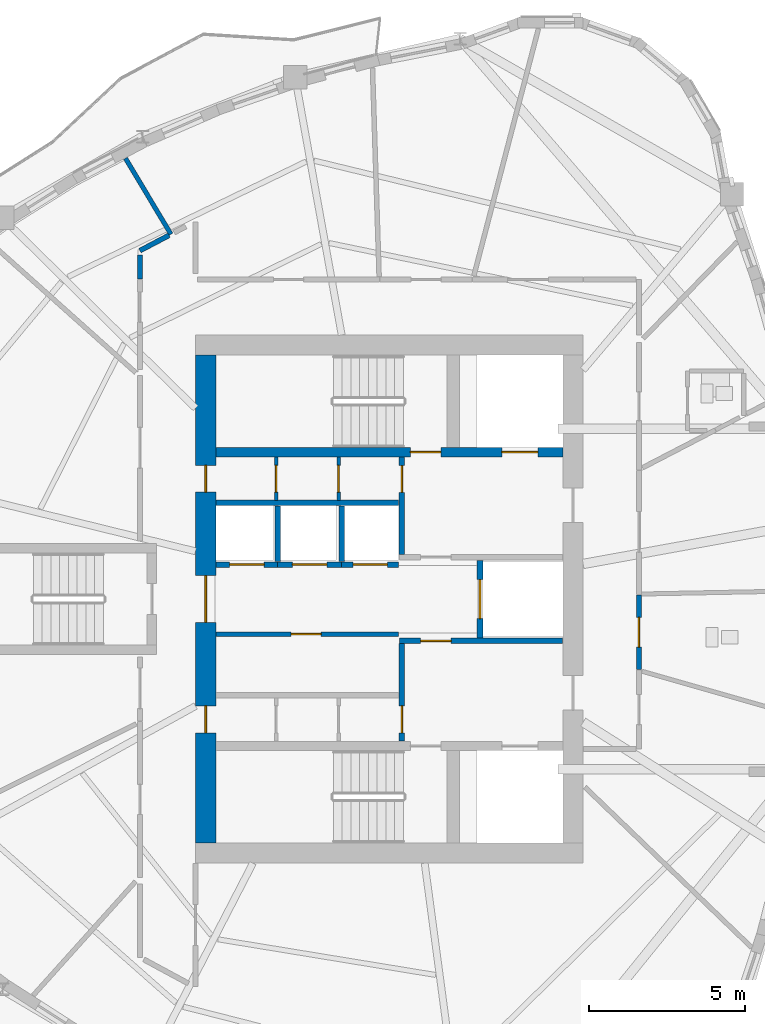
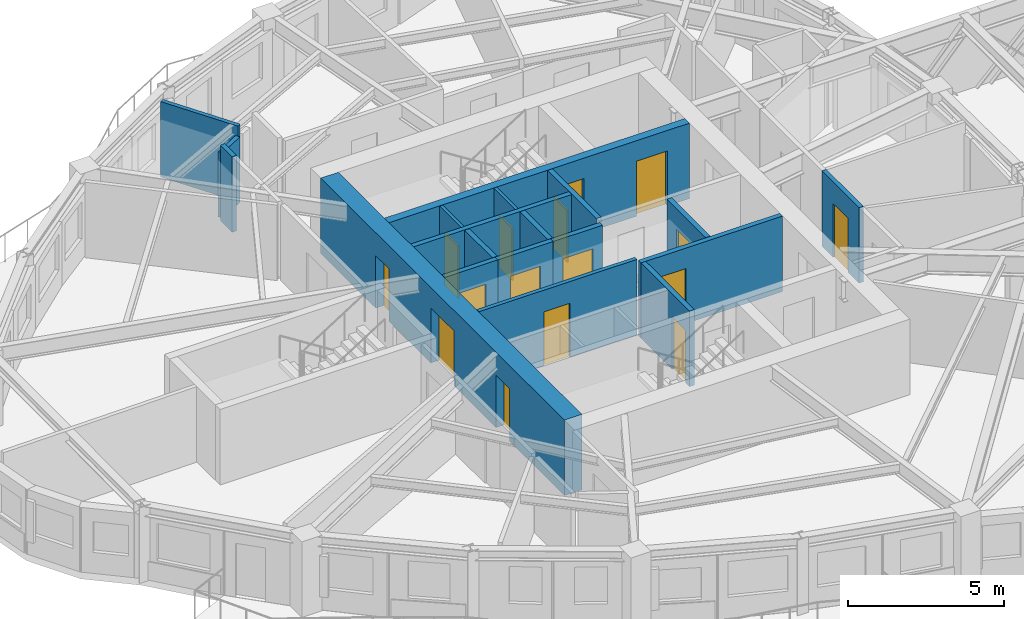
# One storey, part 6 of 13: 19 walls, 16 doors, 16 openings.
"""IFC4 building model written with IfcOpenShell, lengths in metres."""

from ifc_helpers import new_model, si_unit, direction, frame, frame_2d, origin, place, context, subcontext, project, spatial, rectangle, extrude, source, transform, mapped, material, layer, layer_set, type_object, element, fill, save


model = new_model("IFC4")

# Units and contexts
model_context = context("Model", 3, precision=1e-05, world=origin(), true_north=direction((0.0, 1.0)))
body_context = subcontext(model_context, "Body", "Model", "MODEL_VIEW")
ifc_project = project(units=[si_unit("LENGTHUNIT", "METRE"), si_unit("AREAUNIT", "SQUARE_METRE"), si_unit("VOLUMEUNIT", "CUBIC_METRE"), si_unit("PLANEANGLEUNIT", "RADIAN"), si_unit("MASSUNIT", "GRAM", prefix="KILO")], contexts=[model_context])

# Site, building, storey
site_placement = place(None, origin())
site = spatial("IfcSite", under=ifc_project, at=site_placement, CompositionType="ELEMENT")
building_placement = place(site_placement, origin())
building = spatial("IfcBuilding", under=site, at=building_placement, Name="Qafzar Sky-Pleat Residences", CompositionType="ELEMENT")
storey_placement = place(building_placement, frame((0.0, 0.0, 158.60009765625)))
storey = spatial("IfcBuildingStorey", under=building, at=storey_placement, Name="L47", CompositionType="ELEMENT", Elevation=158.60009765625)

# Wall, opening, door
ifc_material_1 = material(Name="Acoustic gypsum plasterboard partition", Category="gypsum")
ifc_layer_1 = layer(ifc_material_1, 0.159912109375)
ifc_layer_set_1 = layer_set([ifc_layer_1], Name="Acoustic gypsum plasterboard partition")
wall_type_1 = type_object("IfcWallType", Name="PART-COR-160", PredefinedType="PARTITIONING", material=ifc_layer_set_1)
wall_1_placement = place(storey_placement, frame((38.330078125, 26.12890625, 0.0), z_axis=(0.0, 0.0, 1.0), x_axis=(0.0, -1.0, 0.0)))
wall_1 = element("IfcWall", 1, at=wall_1_placement, inside=storey, type_object=wall_type_1, Name="L47 Partition Wall PART-L47-PW-012", PredefinedType="PARTITIONING", context=body_context, shape_type="SweptSolid", body=[
    extrude(rectangle(XDim=2.37890625, YDim=0.159912109375, at=frame_2d((1.189453125, 0.0))), origin(), (0.0, 0.0, 1.0), 2.949951171875),
])
opening_1_placement = place(wall_1_placement, frame((0.715087890625, 0.0, 0.0)))
opening_1 = element("IfcOpeningElement", 2, at=opening_1_placement, cuts=wall_1, Name="Opening ID-08", PredefinedType="OPENING", context=body_context, shape_type="SweptSolid", body=[
    extrude(rectangle(XDim=0.949951171875, YDim=2.10009765625, at=frame_2d((0.47509765625, 1.050048828125))), frame((0.0, 0.08984375, 0.0), z_axis=(0.0, -1.0, 0.0), x_axis=(1.0, 0.0, 0.0)), (0.0, 0.0, 1.0), 0.179931640625),
])
ifc_material_2 = material(Name="Timber-faced fire door", Category="wood")
door_type_1 = type_object("IfcDoorType", Name="DR-AWC-950", OperationType="NOTDEFINED", PredefinedType="DOOR", material=ifc_material_2)
shared_shape_1 = source(origin(), body_context, "Body", "SweptSolid", [
    extrude(rectangle(XDim=0.949951171875, YDim=2.10009765625, at=frame_2d((0.47509765625, 1.050048828125))), frame((0.0, 0.02490234375, 0.0), z_axis=(0.0, -1.0, 0.0), x_axis=(1.0, 0.0, 0.0)), (0.0, 0.0, 1.0), 0.050048828125),
])
door_1_placement = place(opening_1_placement, origin())
door_1 = element("IfcDoor", 3, at=door_1_placement, inside=storey, type_object=door_type_1, Name="L47 Accessible Shared Washroom Door", OperationType="SINGLE_SWING_LEFT", OverallHeight=2.10009765625, OverallWidth=0.949951171875, PredefinedType="DOOR", context=body_context, shape_type="MappedRepresentation", body=[
    mapped(shared_shape_1, transform((0.0, 0.0, 0.0), x_axis=(1.0, 0.0, 0.0), y_axis=(0.0, 1.0, 0.0), z_axis=(0.0, 0.0, 1.0), scale=1.0)),
])
fill(opening_1, door_1)

# Walls
wall_2_placement = place(storey_placement, frame((22.3701171875, 37.14599609375, 0.0), z_axis=(0.0, 0.0, 1.0), x_axis=(0.884530854714, 0.46648168995, 0.0)))
element("IfcWall", 4, at=wall_2_placement, inside=storey, type_object=wall_type_1, Name="L47 Partition Wall PART-L47-PW-041", PredefinedType="PARTITIONING", context=body_context, shape_type="SweptSolid", body=[
    extrude(rectangle(XDim=1.053466796875, YDim=0.159912109375, at=frame_2d((0.52685546875, 0.0))), origin(), (0.0, 0.0, 1.0), 2.557861328125),
])
wall_3_placement = place(storey_placement, frame((22.3701171875, 36.2451171875, 0.0), z_axis=(0.0, 0.0, 1.0), x_axis=(0.0, 1.0, 0.0)))
element("IfcWall", 5, at=wall_3_placement, inside=storey, type_object=wall_type_1, Name="L47 Partition Wall PART-L47-PW-044", PredefinedType="PARTITIONING", context=body_context, shape_type="SweptSolid", body=[
    extrude(rectangle(XDim=0.76025390625, YDim=0.159912109375, at=frame_2d((0.380126953125, 0.0))), origin(), (0.0, 0.0, 1.0), 2.949951171875),
])

# Wall, opening, door
ifc_material_3 = material(Name="Concrete blockwork partition", Category="masonry")
ifc_layer_2 = layer(ifc_material_3, 0.179931640625)
ifc_layer_set_2 = layer_set([ifc_layer_2], Name="Concrete blockwork partition")
wall_type_2 = type_object("IfcWallType", Name="PART-SHAFT-180", PredefinedType="PARTITIONING", material=ifc_layer_set_2)
wall_4_placement = place(storey_placement, frame((30.75, 21.4599609375, 0.0), z_axis=(0.0, 0.0, 1.0), x_axis=(0.0, 1.0, 0.0)))
wall_4 = element("IfcWall", 6, at=wall_4_placement, inside=storey, type_object=wall_type_2, Name="L47 Partition Wall PART-L47-FFL1-W", PredefinedType="PARTITIONING", context=body_context, shape_type="SweptSolid", body=[
    extrude(rectangle(XDim=3.110107421875, YDim=0.179931640625, at=frame_2d((1.55517578125, 0.0))), origin(), (0.0, 0.0, 1.0), 2.949951171875),
])
opening_2_placement = place(wall_4_placement, frame((0.260009765625, 0.0, 0.0)))
opening_2 = element("IfcOpeningElement", 7, at=opening_2_placement, cuts=wall_4, Name="Opening ID-09", PredefinedType="OPENING", context=body_context, shape_type="SweptSolid", body=[
    extrude(rectangle(XDim=0.860107421875, YDim=2.050048828125, at=frame_2d((0.43017578125, 1.02490234375))), frame((0.0, 0.10009765625, 0.0), z_axis=(0.0, -1.0, 0.0), x_axis=(1.0, 0.0, 0.0)), (0.0, 0.0, 1.0), 0.199951171875),
])
door_type_2 = type_object("IfcDoorType", Name="DR-SVC-860", OperationType="NOTDEFINED", PredefinedType="DOOR", material=ifc_material_2)
shared_shape_2 = source(origin(), body_context, "Body", "SweptSolid", [
    extrude(rectangle(XDim=0.860107421875, YDim=2.050048828125, at=frame_2d((0.43017578125, 1.02490234375))), frame((0.0, 0.02490234375, 0.0), z_axis=(0.0, -1.0, 0.0), x_axis=(1.0, 0.0, 0.0)), (0.0, 0.0, 1.0), 0.050048828125),
])
door_2_placement = place(opening_2_placement, origin())
door_2 = element("IfcDoor", 8, at=door_2_placement, inside=storey, type_object=door_type_2, Name="L47 South Core Cupboard Door", OperationType="SINGLE_SWING_RIGHT", OverallHeight=2.050048828125, OverallWidth=0.860107421875, PredefinedType="DOOR", context=body_context, shape_type="MappedRepresentation", body=[
    mapped(shared_shape_2, transform((0.0, 0.0, 0.0), x_axis=(1.0, 0.0, 0.0), y_axis=(0.0, 1.0, 0.0), z_axis=(0.0, 0.0, 1.0), scale=1.0)),
])
fill(opening_2, door_2)

wall_5_placement = place(storey_placement, frame((30.669921875, 24.659912109375, 0.0), z_axis=(0.0, 0.0, 1.0), x_axis=(1.0, 0.0, 0.0)))
wall_5 = element("IfcWall", 9, at=wall_5_placement, inside=storey, type_object=wall_type_2, Name="L47 Partition Wall PART-L47-FFL1-N", PredefinedType="PARTITIONING", context=body_context, shape_type="SweptSolid", body=[
    extrude(rectangle(XDim=5.219970703125, YDim=0.179931640625, at=frame_2d((2.60986328125, 0.0))), origin(), (0.0, 0.0, 1.0), 2.949951171875),
])
opening_3_placement = place(wall_5_placement, frame((0.679931640625, 0.0, 0.0)))
opening_3 = element("IfcOpeningElement", 10, at=opening_3_placement, cuts=wall_5, Name="Opening ID-01", PredefinedType="OPENING", context=body_context, shape_type="SweptSolid", body=[
    extrude(rectangle(XDim=0.97998046875, YDim=2.14990234375, at=frame_2d((0.489990234375, 1.074951171875))), frame((0.0, 0.10009765625, 0.0), z_axis=(0.0, -1.0, 0.0), x_axis=(1.0, 0.0, 0.0)), (0.0, 0.0, 1.0), 0.199951171875),
])
door_type_3 = type_object("IfcDoorType", Name="DR-STAIR-980", OperationType="NOTDEFINED", PredefinedType="DOOR", material=ifc_material_2)
shared_shape_3 = source(origin(), body_context, "Body", "SweptSolid", [
    extrude(rectangle(XDim=0.97998046875, YDim=2.14990234375, at=frame_2d((0.489990234375, 1.074951171875))), frame((0.0, 0.02490234375, 0.0), z_axis=(0.0, -1.0, 0.0), x_axis=(1.0, 0.0, 0.0)), (0.0, 0.0, 1.0), 0.050048828125),
])
door_3_placement = place(opening_3_placement, origin())
door_3 = element("IfcDoor", 11, at=door_3_placement, inside=storey, type_object=door_type_3, Name="L47 Lift Lobby to South Firefighting Lobby Door", OperationType="SINGLE_SWING_LEFT", OverallHeight=2.14990234375, OverallWidth=0.97998046875, PredefinedType="DOOR", context=body_context, shape_type="MappedRepresentation", body=[
    mapped(shared_shape_3, transform((0.0, 0.0, 0.0), x_axis=(1.0, 0.0, 0.0), y_axis=(0.0, 1.0, 0.0), z_axis=(0.0, 0.0, 1.0), scale=1.0)),
])
fill(opening_3, door_3)

wall_6_placement = place(storey_placement, frame((30.75, 27.429931640625, 0.0), z_axis=(0.0, 0.0, 1.0), x_axis=(0.0, 1.0, 0.0)))
wall_6 = element("IfcWall", 12, at=wall_6_placement, inside=storey, type_object=wall_type_2, Name="L47 Partition Wall PART-L47-FFL2-W", PredefinedType="PARTITIONING", context=body_context, shape_type="SweptSolid", body=[
    extrude(rectangle(XDim=3.110107421875, YDim=0.179931640625, at=frame_2d((1.55517578125, 0.0))), origin(), (0.0, 0.0, 1.0), 2.949951171875),
])
opening_4_placement = place(wall_6_placement, frame((1.97998046875, 0.0, 0.0)))
opening_4 = element("IfcOpeningElement", 13, at=opening_4_placement, cuts=wall_6, Name="Opening ID-09", PredefinedType="OPENING", context=body_context, shape_type="SweptSolid", body=[
    extrude(rectangle(XDim=0.860107421875, YDim=2.050048828125, at=frame_2d((0.43017578125, 1.02490234375))), frame((0.0, 0.10009765625, 0.0), z_axis=(0.0, -1.0, 0.0), x_axis=(1.0, 0.0, 0.0)), (0.0, 0.0, 1.0), 0.199951171875),
])
door_4_placement = place(opening_4_placement, origin())
door_4 = element("IfcDoor", 14, at=door_4_placement, inside=storey, type_object=door_type_2, Name="L47 North Core Cupboard Door", OperationType="SINGLE_SWING_RIGHT", OverallHeight=2.050048828125, OverallWidth=0.860107421875, PredefinedType="DOOR", context=body_context, shape_type="MappedRepresentation", body=[
    mapped(shared_shape_2, transform((0.0, 0.0, 0.0), x_axis=(1.0, 0.0, 0.0), y_axis=(0.0, 1.0, 0.0), z_axis=(0.0, 0.0, 1.0), scale=1.0)),
])
fill(opening_4, door_4)

wall_7_placement = place(storey_placement, frame((33.25, 24.760009765625, 0.0), z_axis=(0.0, 0.0, 1.0), x_axis=(0.0, 1.0, 0.0)))
wall_7 = element("IfcWall", 15, at=wall_7_placement, inside=storey, type_object=wall_type_2, Name="L47 Partition Wall PART-L47-SV1-W", PredefinedType="PARTITIONING", context=body_context, shape_type="SweptSolid", body=[
    extrude(rectangle(XDim=2.47998046875, YDim=0.179931640625, at=frame_2d((1.239990234375, 0.0))), origin(), (0.0, 0.0, 1.0), 2.949951171875),
])
opening_5_placement = place(wall_7_placement, frame((0.614990234375, 0.0, 0.0)))
opening_5 = element("IfcOpeningElement", 16, at=opening_5_placement, cuts=wall_7, Name="Opening LD-03", PredefinedType="OPENING", context=body_context, shape_type="SweptSolid", body=[
    extrude(rectangle(XDim=1.25, YDim=2.14990234375, at=frame_2d((0.625, 1.074951171875))), frame((0.0, 0.10009765625, 0.0), z_axis=(0.0, -1.0, 0.0), x_axis=(1.0, 0.0, 0.0)), (0.0, 0.0, 1.0), 0.199951171875),
])
ifc_material_4 = material(Name="Stainless steel sliding landing door", Category="steel")
door_type_4 = type_object("IfcDoorType", Name="DR-LIFT-SV", OperationType="DOUBLE_DOOR_SLIDING", PredefinedType="DOOR", material=ifc_material_4)
shared_shape_4 = source(origin(), body_context, "Body", "SweptSolid", [
    extrude(rectangle(XDim=1.25, YDim=2.14990234375, at=frame_2d((0.625, 1.074951171875))), frame((0.0, 0.02490234375, 0.0), z_axis=(0.0, -1.0, 0.0), x_axis=(1.0, 0.0, 0.0)), (0.0, 0.0, 1.0), 0.050048828125),
])
door_5_placement = place(opening_5_placement, origin())
door_5 = element("IfcDoor", 17, at=door_5_placement, inside=storey, type_object=door_type_4, Name="L47 Service Lift SV1 Landing Door", OperationType="DOUBLE_DOOR_SLIDING", OverallHeight=2.14990234375, OverallWidth=1.25, PredefinedType="DOOR", context=body_context, shape_type="MappedRepresentation", body=[
    mapped(shared_shape_4, transform((0.0, 0.0, 0.0), x_axis=(1.0, 0.0, 0.0), y_axis=(0.0, 1.0, 0.0), z_axis=(0.0, 0.0, 1.0), scale=1.0)),
])
fill(opening_5, door_5)

# Wall
wall_8_placement = place(storey_placement, frame((24.81005859375, 29.080078125, 0.0), z_axis=(0.0, 0.0, 1.0), x_axis=(1.0, 0.0, 0.0)))
element("IfcWall", 18, at=wall_8_placement, inside=storey, type_object=wall_type_2, Name="L47 Partition Wall PART-L47-P46-N", PredefinedType="PARTITIONING", context=body_context, shape_type="SweptSolid", body=[
    extrude(rectangle(XDim=5.83984375, YDim=0.179931640625, at=frame_2d((2.919921875, 0.0))), origin(), (0.0, 0.0, 1.0), 2.949951171875),
])

# Wall, opening, door
wall_9_placement = place(storey_placement, frame((24.81005859375, 27.10009765625, 0.0), z_axis=(0.0, 0.0, 1.0), x_axis=(1.0, 0.0, 0.0)))
wall_9 = element("IfcWall", 19, at=wall_9_placement, inside=storey, type_object=wall_type_2, Name="L47 Partition Wall PART-L47-P4-S", PredefinedType="PARTITIONING", context=body_context, shape_type="SweptSolid", body=[
    extrude(rectangle(XDim=1.96484375, YDim=0.179931640625, at=frame_2d((0.982421875, 0.0))), origin(), (0.0, 0.0, 1.0), 2.949951171875),
])
opening_6_placement = place(wall_9_placement, frame((0.4326171875, 0.0, 0.0)))
opening_6 = element("IfcOpeningElement", 20, at=opening_6_placement, cuts=wall_9, Name="Opening LD-01", PredefinedType="OPENING", context=body_context, shape_type="SweptSolid", body=[
    extrude(rectangle(XDim=1.10009765625, YDim=2.14990234375, at=frame_2d((0.550048828125, 1.074951171875))), frame((0.0, 0.10009765625, 0.0), z_axis=(0.0, -1.0, 0.0), x_axis=(1.0, 0.0, 0.0)), (0.0, 0.0, 1.0), 0.199951171875),
])
door_type_5 = type_object("IfcDoorType", Name="DR-LIFT-P", OperationType="DOUBLE_DOOR_SLIDING", PredefinedType="DOOR", material=ifc_material_4)
shared_shape_5 = source(origin(), body_context, "Body", "SweptSolid", [
    extrude(rectangle(XDim=1.10009765625, YDim=2.14990234375, at=frame_2d((0.550048828125, 1.074951171875))), frame((0.0, 0.02490234375, 0.0), z_axis=(0.0, -1.0, 0.0), x_axis=(1.0, 0.0, 0.0)), (0.0, 0.0, 1.0), 0.050048828125),
])
door_6_placement = place(opening_6_placement, origin())
door_6 = element("IfcDoor", 21, at=door_6_placement, inside=storey, type_object=door_type_5, Name="L47 Passenger Lift P4 Landing Door", OperationType="DOUBLE_DOOR_SLIDING", OverallHeight=2.14990234375, OverallWidth=1.10009765625, PredefinedType="DOOR", context=body_context, shape_type="MappedRepresentation", body=[
    mapped(shared_shape_5, transform((0.0, 0.0, 0.0), x_axis=(1.0, 0.0, 0.0), y_axis=(0.0, 1.0, 0.0), z_axis=(0.0, 0.0, 1.0), scale=1.0)),
])
fill(opening_6, door_6)

wall_10_placement = place(storey_placement, frame((26.77490234375, 27.10009765625, 0.0), z_axis=(0.0, 0.0, 1.0), x_axis=(1.0, 0.0, 0.0)))
wall_10 = element("IfcWall", 22, at=wall_10_placement, inside=storey, type_object=wall_type_2, Name="L47 Partition Wall PART-L47-P5-S", PredefinedType="PARTITIONING", context=body_context, shape_type="SweptSolid", body=[
    extrude(rectangle(XDim=2.050048828125, YDim=0.179931640625, at=frame_2d((1.02490234375, 0.0))), origin(), (0.0, 0.0, 1.0), 2.949951171875),
])
opening_7_placement = place(wall_10_placement, frame((0.47509765625, 0.0, 0.0)))
opening_7 = element("IfcOpeningElement", 23, at=opening_7_placement, cuts=wall_10, Name="Opening LD-01", PredefinedType="OPENING", context=body_context, shape_type="SweptSolid", body=[
    extrude(rectangle(XDim=1.10009765625, YDim=2.14990234375, at=frame_2d((0.550048828125, 1.074951171875))), frame((0.0, 0.10009765625, 0.0), z_axis=(0.0, -1.0, 0.0), x_axis=(1.0, 0.0, 0.0)), (0.0, 0.0, 1.0), 0.199951171875),
])
door_7_placement = place(opening_7_placement, origin())
door_7 = element("IfcDoor", 24, at=door_7_placement, inside=storey, type_object=door_type_5, Name="L47 Passenger Lift P5 Landing Door", OperationType="DOUBLE_DOOR_SLIDING", OverallHeight=2.14990234375, OverallWidth=1.10009765625, PredefinedType="DOOR", context=body_context, shape_type="MappedRepresentation", body=[
    mapped(shared_shape_5, transform((0.0, 0.0, 0.0), x_axis=(1.0, 0.0, 0.0), y_axis=(0.0, 1.0, 0.0), z_axis=(0.0, 0.0, 1.0), scale=1.0)),
])
fill(opening_7, door_7)

# Wall
wall_11_placement = place(storey_placement, frame((26.77490234375, 27.199951171875, 0.0), z_axis=(0.0, 0.0, 1.0), x_axis=(0.0, 1.0, 0.0)))
element("IfcWall", 25, at=wall_11_placement, inside=storey, type_object=wall_type_2, Name="L47 Partition Wall PART-L47-P46-DIV-1", PredefinedType="PARTITIONING", context=body_context, shape_type="SweptSolid", body=[
    extrude(rectangle(XDim=1.780029296875, YDim=0.179931640625, at=frame_2d((0.89013671875, 0.0))), origin(), (0.0, 0.0, 1.0), 2.949951171875),
])

# Wall, opening, door
wall_12_placement = place(storey_placement, frame((28.824951171875, 27.10009765625, 0.0), z_axis=(0.0, 0.0, 1.0), x_axis=(1.0, 0.0, 0.0)))
wall_12 = element("IfcWall", 26, at=wall_12_placement, inside=storey, type_object=wall_type_2, Name="L47 Partition Wall PART-L47-P6-S", PredefinedType="PARTITIONING", context=body_context, shape_type="SweptSolid", body=[
    extrude(rectangle(XDim=1.824951171875, YDim=0.179931640625, at=frame_2d((0.91259765625, 0.0))), origin(), (0.0, 0.0, 1.0), 2.949951171875),
])
opening_8_placement = place(wall_12_placement, frame((0.362548828125, 0.0, 0.0)))
opening_8 = element("IfcOpeningElement", 27, at=opening_8_placement, cuts=wall_12, Name="Opening LD-01", PredefinedType="OPENING", context=body_context, shape_type="SweptSolid", body=[
    extrude(rectangle(XDim=1.10009765625, YDim=2.14990234375, at=frame_2d((0.550048828125, 1.074951171875))), frame((0.0, 0.10009765625, 0.0), z_axis=(0.0, -1.0, 0.0), x_axis=(1.0, 0.0, 0.0)), (0.0, 0.0, 1.0), 0.199951171875),
])
door_8_placement = place(opening_8_placement, origin())
door_8 = element("IfcDoor", 28, at=door_8_placement, inside=storey, type_object=door_type_5, Name="L47 Passenger Lift P6 Landing Door", OperationType="DOUBLE_DOOR_SLIDING", OverallHeight=2.14990234375, OverallWidth=1.10009765625, PredefinedType="DOOR", context=body_context, shape_type="MappedRepresentation", body=[
    mapped(shared_shape_5, transform((0.0, 0.0, 0.0), x_axis=(1.0, 0.0, 0.0), y_axis=(0.0, 1.0, 0.0), z_axis=(0.0, 0.0, 1.0), scale=1.0)),
])
fill(opening_8, door_8)

# Wall
wall_13_placement = place(storey_placement, frame((28.824951171875, 27.199951171875, 0.0), z_axis=(0.0, 0.0, 1.0), x_axis=(0.0, 1.0, 0.0)))
element("IfcWall", 29, at=wall_13_placement, inside=storey, type_object=wall_type_2, Name="L47 Partition Wall PART-L47-P46-DIV-2", PredefinedType="PARTITIONING", context=body_context, shape_type="SweptSolid", body=[
    extrude(rectangle(XDim=1.780029296875, YDim=0.179931640625, at=frame_2d((0.89013671875, 0.0))), origin(), (0.0, 0.0, 1.0), 2.949951171875),
])

# Wall, opening, door
ifc_material_5 = material(Name="Gypsum plasterboard partition", Category="gypsum")
ifc_layer_3 = layer(ifc_material_5, 0.114990234375)
ifc_layer_set_3 = layer_set([ifc_layer_3], Name="Gypsum plasterboard partition")
wall_type_3 = type_object("IfcWallType", Name="PART-SVC-115", PredefinedType="PARTITIONING", material=ifc_layer_set_3)
wall_14_placement = place(storey_placement, frame((26.72509765625, 29.159912109375, 0.0), z_axis=(0.0, 0.0, 1.0), x_axis=(0.0, 1.0, 0.0)))
wall_14 = element("IfcWall", 30, at=wall_14_placement, inside=storey, type_object=wall_type_3, Name="L47 Partition Wall PART-L47-KC-NW-1", PredefinedType="PARTITIONING", context=body_context, shape_type="SweptSolid", body=[
    extrude(rectangle(XDim=1.380126953125, YDim=0.114990234375, at=frame_2d((0.68994140625, 0.0))), origin(), (0.0, 0.0, 1.0), 2.949951171875),
])
opening_9_placement = place(wall_14_placement, frame((0.260009765625, 0.0, 0.0)))
opening_9 = element("IfcOpeningElement", 31, at=opening_9_placement, cuts=wall_14, Name="Opening ID-09", PredefinedType="OPENING", context=body_context, shape_type="SweptSolid", body=[
    extrude(rectangle(XDim=0.860107421875, YDim=2.050048828125, at=frame_2d((0.43017578125, 1.02490234375))), frame((0.0, 0.0673828125, 0.0), z_axis=(0.0, -1.0, 0.0), x_axis=(1.0, 0.0, 0.0)), (0.0, 0.0, 1.0), 0.135009765625),
])
door_9_placement = place(opening_9_placement, origin())
door_9 = element("IfcDoor", 32, at=door_9_placement, inside=storey, type_object=door_type_2, Name="L47 Core North Cupboard 1 Door", OperationType="SINGLE_SWING_RIGHT", OverallHeight=2.050048828125, OverallWidth=0.860107421875, PredefinedType="DOOR", context=body_context, shape_type="MappedRepresentation", body=[
    mapped(shared_shape_2, transform((0.0, 0.0, 0.0), x_axis=(1.0, 0.0, 0.0), y_axis=(0.0, 1.0, 0.0), z_axis=(0.0, 0.0, 1.0), scale=1.0)),
])
fill(opening_9, door_9)

wall_15_placement = place(storey_placement, frame((28.72509765625, 29.159912109375, 0.0), z_axis=(0.0, 0.0, 1.0), x_axis=(0.0, 1.0, 0.0)))
wall_15 = element("IfcWall", 33, at=wall_15_placement, inside=storey, type_object=wall_type_3, Name="L47 Partition Wall PART-L47-KC-NW-2", PredefinedType="PARTITIONING", context=body_context, shape_type="SweptSolid", body=[
    extrude(rectangle(XDim=1.380126953125, YDim=0.114990234375, at=frame_2d((0.68994140625, 0.0))), origin(), (0.0, 0.0, 1.0), 2.949951171875),
])
opening_10_placement = place(wall_15_placement, frame((0.260009765625, 0.0, 0.0)))
opening_10 = element("IfcOpeningElement", 34, at=opening_10_placement, cuts=wall_15, Name="Opening ID-09", PredefinedType="OPENING", context=body_context, shape_type="SweptSolid", body=[
    extrude(rectangle(XDim=0.860107421875, YDim=2.050048828125, at=frame_2d((0.43017578125, 1.02490234375))), frame((0.0, 0.0673828125, 0.0), z_axis=(0.0, -1.0, 0.0), x_axis=(1.0, 0.0, 0.0)), (0.0, 0.0, 1.0), 0.135009765625),
])
door_10_placement = place(opening_10_placement, origin())
door_10 = element("IfcDoor", 35, at=door_10_placement, inside=storey, type_object=door_type_2, Name="L47 Core North Cupboard 2 Door", OperationType="SINGLE_SWING_RIGHT", OverallHeight=2.050048828125, OverallWidth=0.860107421875, PredefinedType="DOOR", context=body_context, shape_type="MappedRepresentation", body=[
    mapped(shared_shape_2, transform((0.0, 0.0, 0.0), x_axis=(1.0, 0.0, 0.0), y_axis=(0.0, 1.0, 0.0), z_axis=(0.0, 0.0, 1.0), scale=1.0)),
])
fill(opening_10, door_10)

ifc_layer_4 = layer(ifc_material_1, 0.14501953125)
ifc_layer_set_4 = layer_set([ifc_layer_4], Name="Acoustic gypsum plasterboard partition")
wall_type_4 = type_object("IfcWallType", Name="PART-UNIT-145", PredefinedType="PARTITIONING", material=ifc_layer_set_4)
wall_16_placement = place(storey_placement, frame((24.81005859375, 24.8798828125, 0.0), z_axis=(0.0, 0.0, 1.0), x_axis=(1.0, 0.0, 0.0)))
wall_16 = element("IfcWall", 36, at=wall_16_placement, inside=storey, type_object=wall_type_4, Name="L47 Partition Wall PART-L47-RECLAIM-N", PredefinedType="PARTITIONING", context=body_context, shape_type="SweptSolid", body=[
    extrude(rectangle(XDim=5.83984375, YDim=0.14501953125, at=frame_2d((2.919921875, 0.0))), origin(), (0.0, 0.0, 1.0), 2.949951171875),
])
opening_11_placement = place(wall_16_placement, frame((2.39990234375, 0.0, 0.0)))
opening_11 = element("IfcOpeningElement", 37, at=opening_11_placement, cuts=wall_16, Name="Opening ID-06", PredefinedType="OPENING", context=body_context, shape_type="SweptSolid", body=[
    extrude(rectangle(XDim=0.9599609375, YDim=2.10009765625, at=frame_2d((0.47998046875, 1.050048828125))), frame((0.0, 0.08251953125, 0.0), z_axis=(0.0, -1.0, 0.0), x_axis=(1.0, 0.0, 0.0)), (0.0, 0.0, 1.0), 0.1650390625),
])
door_type_6 = type_object("IfcDoorType", Name="DR-STD-960", OperationType="NOTDEFINED", PredefinedType="DOOR", material=ifc_material_2)
shared_shape_6 = source(origin(), body_context, "Body", "SweptSolid", [
    extrude(rectangle(XDim=0.9599609375, YDim=2.10009765625, at=frame_2d((0.47998046875, 1.050048828125))), frame((0.0, 0.02490234375, 0.0), z_axis=(0.0, -1.0, 0.0), x_axis=(1.0, 0.0, 0.0)), (0.0, 0.0, 1.0), 0.050048828125),
])
door_11_placement = place(opening_11_placement, origin())
door_11 = element("IfcDoor", 38, at=door_11_placement, inside=storey, type_object=door_type_6, Name="L47 Reclaimed Resident Laundry Room Door", OperationType="SINGLE_SWING_RIGHT", OverallHeight=2.10009765625, OverallWidth=0.9599609375, PredefinedType="DOOR", context=body_context, shape_type="MappedRepresentation", body=[
    mapped(shared_shape_6, transform((0.0, 0.0, 0.0), x_axis=(1.0, 0.0, 0.0), y_axis=(0.0, 1.0, 0.0), z_axis=(0.0, 0.0, 1.0), scale=1.0)),
])
fill(opening_11, door_11)

# Wall
wall_17_placement = place(storey_placement, frame((21.908447265625, 40.10009765625, 0.0), z_axis=(0.0, 0.0, 1.0), x_axis=(0.513582752497, -0.85804006686, 0.0)))
element("IfcWall", 39, at=wall_17_placement, inside=storey, type_object=wall_type_4, Name="L47 Partition Wall PART-L47-PW-026", PredefinedType="PARTITIONING", context=body_context, shape_type="SweptSolid", body=[
    extrude(rectangle(XDim=2.832275390625, YDim=0.14501953125, at=frame_2d((1.416015625, 0.0))), origin(), (0.0, 0.0, 1.0), 2.949951171875),
])

# Wall, openings, doors
ifc_material_6 = material(Name="Concrete C60/75", Category="concrete")
ifc_layer_5 = layer(ifc_material_6, 0.300048828125)
ifc_layer_set_5 = layer_set([ifc_layer_5], Name="Concrete C60/75")
wall_type_5 = type_object("IfcWallType", Name="WALL-SHEAR-300", PredefinedType="SHEAR", material=ifc_layer_set_5)
wall_18_placement = place(storey_placement, frame((24.800048828125, 30.699951171875, 0.0), z_axis=(0.0, 0.0, 1.0), x_axis=(1.0, 0.0, 0.0)))
wall_18 = element("IfcWall", 40, at=wall_18_placement, inside=storey, type_object=wall_type_5, Name="L47 Stair ST2 and FF2 Shaft South Wall", PredefinedType="SHEAR", context=body_context, shape_type="SweptSolid", body=[
    extrude(rectangle(XDim=11.099853515625, YDim=0.300048828125, at=frame_2d((5.5498046875, 0.0))), origin(), (0.0, 0.0, 1.0), 2.949951171875),
])
opening_12_placement = place(wall_18_placement, frame((6.219970703125, 0.0, 0.0)))
opening_12 = element("IfcOpeningElement", 41, at=opening_12_placement, cuts=wall_18, Name="Opening ID-01", PredefinedType="OPENING", context=body_context, shape_type="SweptSolid", body=[
    extrude(rectangle(XDim=0.97998046875, YDim=2.14990234375, at=frame_2d((0.489990234375, 1.074951171875))), frame((0.0, 0.16015625, 0.0), z_axis=(0.0, -1.0, 0.0), x_axis=(1.0, 0.0, 0.0)), (0.0, 0.0, 1.0), 0.320068359375),
])
opening_13_placement = place(wall_18_placement, frame((9.14990234375, 0.0, 0.0)))
opening_13 = element("IfcOpeningElement", 42, at=opening_13_placement, cuts=wall_18, Name="Opening LD-02", PredefinedType="OPENING", context=body_context, shape_type="SweptSolid", body=[
    extrude(rectangle(XDim=1.14990234375, YDim=2.14990234375, at=frame_2d((0.574951171875, 1.074951171875))), frame((0.0, 0.16015625, 0.0), z_axis=(0.0, -1.0, 0.0), x_axis=(1.0, 0.0, 0.0)), (0.0, 0.0, 1.0), 0.320068359375),
])
door_12_placement = place(opening_12_placement, origin())
door_12 = element("IfcDoor", 43, at=door_12_placement, inside=storey, type_object=door_type_3, Name="L47 Stair ST2 Fire Door", OperationType="SINGLE_SWING_RIGHT", OverallHeight=2.14990234375, OverallWidth=0.97998046875, PredefinedType="DOOR", context=body_context, shape_type="MappedRepresentation", body=[
    mapped(shared_shape_3, transform((0.0, 0.0, 0.0), x_axis=(1.0, 0.0, 0.0), y_axis=(0.0, 1.0, 0.0), z_axis=(0.0, 0.0, 1.0), scale=1.0)),
])
fill(opening_12, door_12)
door_type_7 = type_object("IfcDoorType", Name="DR-LIFT-FF", OperationType="DOUBLE_DOOR_SLIDING", PredefinedType="DOOR", material=ifc_material_4)
shared_shape_7 = source(origin(), body_context, "Body", "SweptSolid", [
    extrude(rectangle(XDim=1.14990234375, YDim=2.14990234375, at=frame_2d((0.574951171875, 1.074951171875))), frame((0.0, 0.02490234375, 0.0), z_axis=(0.0, -1.0, 0.0), x_axis=(1.0, 0.0, 0.0)), (0.0, 0.0, 1.0), 0.050048828125),
])
door_13_placement = place(opening_13_placement, origin())
door_13 = element("IfcDoor", 44, at=door_13_placement, inside=storey, type_object=door_type_7, Name="L47 Firefighting Lift FF2 Landing Door", OperationType="DOUBLE_DOOR_SLIDING", OverallHeight=2.14990234375, OverallWidth=1.14990234375, PredefinedType="DOOR", context=body_context, shape_type="MappedRepresentation", body=[
    mapped(shared_shape_7, transform((0.0, 0.0, 0.0), x_axis=(1.0, 0.0, 0.0), y_axis=(0.0, 1.0, 0.0), z_axis=(0.0, 0.0, 1.0), scale=1.0)),
])
fill(opening_13, door_13)

ifc_layer_6 = layer(ifc_material_6, 0.64990234375)
ifc_layer_set_6 = layer_set([ifc_layer_6], Name="Concrete C60/75")
wall_type_6 = type_object("IfcWallType", Name="WALL-SHEAR-650", PredefinedType="SHEAR", material=ifc_layer_set_6)
wall_19_placement = place(storey_placement, frame((24.47509765625, 33.800048828125, 0.0), z_axis=(0.0, 0.0, 1.0), x_axis=(0.0, -1.0, 0.0)))
wall_19 = element("IfcWall", 45, at=wall_19_placement, inside=storey, type_object=wall_type_6, Name="L47 CORE wall W", PredefinedType="SHEAR", context=body_context, shape_type="SweptSolid", body=[
    extrude(rectangle(XDim=15.60009765625, YDim=0.64990234375, at=frame_2d((7.800048828125, 0.0))), origin(), (0.0, 0.0, 1.0), 2.949951171875),
])
opening_14_placement = place(wall_19_placement, frame((7.050048828125, 0.0, 0.0)))
opening_14 = element("IfcOpeningElement", 46, at=opening_14_placement, cuts=wall_19, Name="Opening ID-03", PredefinedType="OPENING", context=body_context, shape_type="SweptSolid", body=[
    extrude(rectangle(XDim=1.5, YDim=2.14990234375, at=frame_2d((0.75, 1.074951171875))), frame((0.0, 0.3349609375, 0.0), z_axis=(0.0, -1.0, 0.0), x_axis=(1.0, 0.0, 0.0)), (0.0, 0.0, 1.0), 0.669921875),
])
opening_15_placement = place(wall_19_placement, frame((3.52001953125, 0.0, 0.0)))
opening_15 = element("IfcOpeningElement", 47, at=opening_15_placement, cuts=wall_19, Name="Opening ID-09", PredefinedType="OPENING", context=body_context, shape_type="SweptSolid", body=[
    extrude(rectangle(XDim=0.860107421875, YDim=2.050048828125, at=frame_2d((0.43017578125, 1.02490234375))), frame((0.0, 0.3349609375, 0.0), z_axis=(0.0, -1.0, 0.0), x_axis=(1.0, 0.0, 0.0)), (0.0, 0.0, 1.0), 0.669921875),
])
opening_16_placement = place(wall_19_placement, frame((11.219970703125, 0.0, 0.0)))
opening_16 = element("IfcOpeningElement", 48, at=opening_16_placement, cuts=wall_19, Name="Opening ID-09", PredefinedType="OPENING", context=body_context, shape_type="SweptSolid", body=[
    extrude(rectangle(XDim=0.860107421875, YDim=2.050048828125, at=frame_2d((0.43017578125, 1.02490234375))), frame((0.0, 0.3349609375, 0.0), z_axis=(0.0, -1.0, 0.0), x_axis=(1.0, 0.0, 0.0)), (0.0, 0.0, 1.0), 0.669921875),
])
door_type_8 = type_object("IfcDoorType", Name="DR-COR-1500", OperationType="DOUBLE_DOOR_SINGLE_SWING", PredefinedType="DOOR", material=ifc_material_2)
shared_shape_8 = source(origin(), body_context, "Body", "SweptSolid", [
    extrude(rectangle(XDim=1.5, YDim=2.14990234375, at=frame_2d((0.75, 1.074951171875))), frame((0.0, 0.02490234375, 0.0), z_axis=(0.0, -1.0, 0.0), x_axis=(1.0, 0.0, 0.0)), (0.0, 0.0, 1.0), 0.050048828125),
])
door_14_placement = place(opening_14_placement, origin())
door_14 = element("IfcDoor", 49, at=door_14_placement, inside=storey, type_object=door_type_8, Name="L47 Lift Lobby West Double Door", OperationType="DOUBLE_DOOR_SINGLE_SWING", OverallHeight=2.14990234375, OverallWidth=1.5, PredefinedType="DOOR", context=body_context, shape_type="MappedRepresentation", body=[
    mapped(shared_shape_8, transform((0.0, 0.0, 0.0), x_axis=(1.0, 0.0, 0.0), y_axis=(0.0, 1.0, 0.0), z_axis=(0.0, 0.0, 1.0), scale=1.0)),
])
fill(opening_14, door_14)
door_15_placement = place(opening_15_placement, origin())
door_15 = element("IfcDoor", 50, at=door_15_placement, inside=storey, type_object=door_type_2, Name="L47 Core North-West Service Door", OperationType="SINGLE_SWING_RIGHT", OverallHeight=2.050048828125, OverallWidth=0.860107421875, PredefinedType="DOOR", context=body_context, shape_type="MappedRepresentation", body=[
    mapped(shared_shape_2, transform((0.0, 0.0, 0.0), x_axis=(1.0, 0.0, 0.0), y_axis=(0.0, 1.0, 0.0), z_axis=(0.0, 0.0, 1.0), scale=1.0)),
])
fill(opening_15, door_15)
door_16_placement = place(opening_16_placement, origin())
door_16 = element("IfcDoor", 51, at=door_16_placement, inside=storey, type_object=door_type_2, Name="L47 Core South-West Service Door", OperationType="SINGLE_SWING_LEFT", OverallHeight=2.050048828125, OverallWidth=0.860107421875, PredefinedType="DOOR", context=body_context, shape_type="MappedRepresentation", body=[
    mapped(shared_shape_2, transform((0.0, 0.0, 0.0), x_axis=(1.0, 0.0, 0.0), y_axis=(0.0, 1.0, 0.0), z_axis=(0.0, 0.0, 1.0), scale=1.0)),
])
fill(opening_16, door_16)

save(model, "model.ifc")
